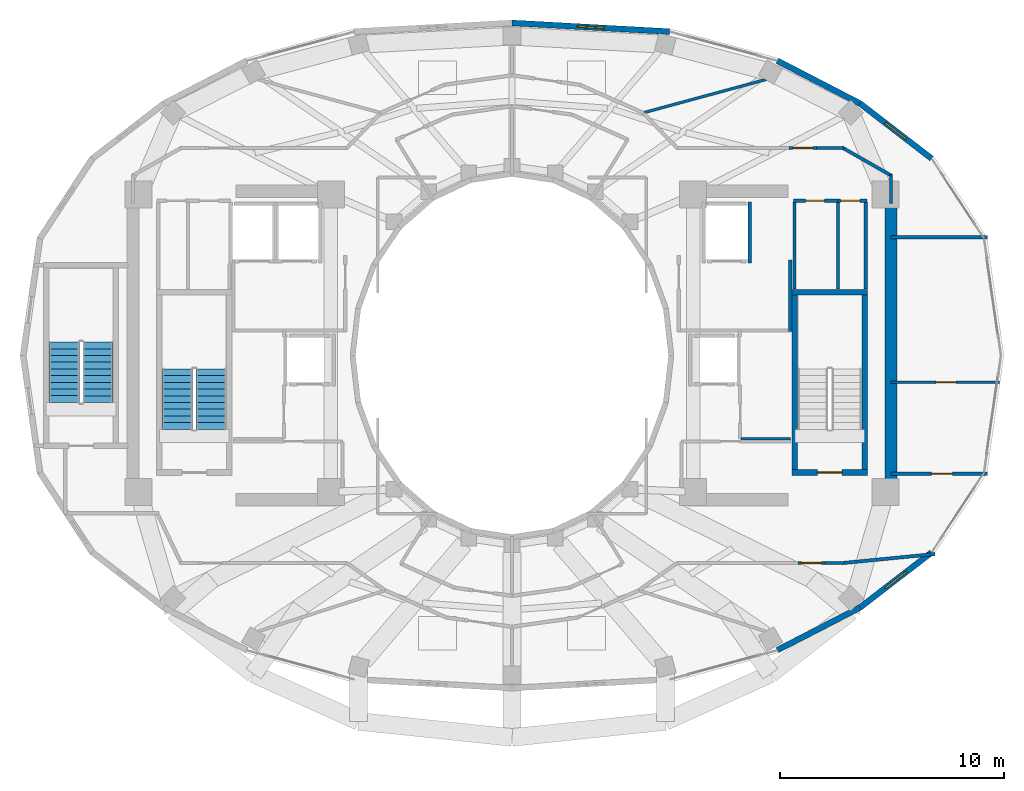
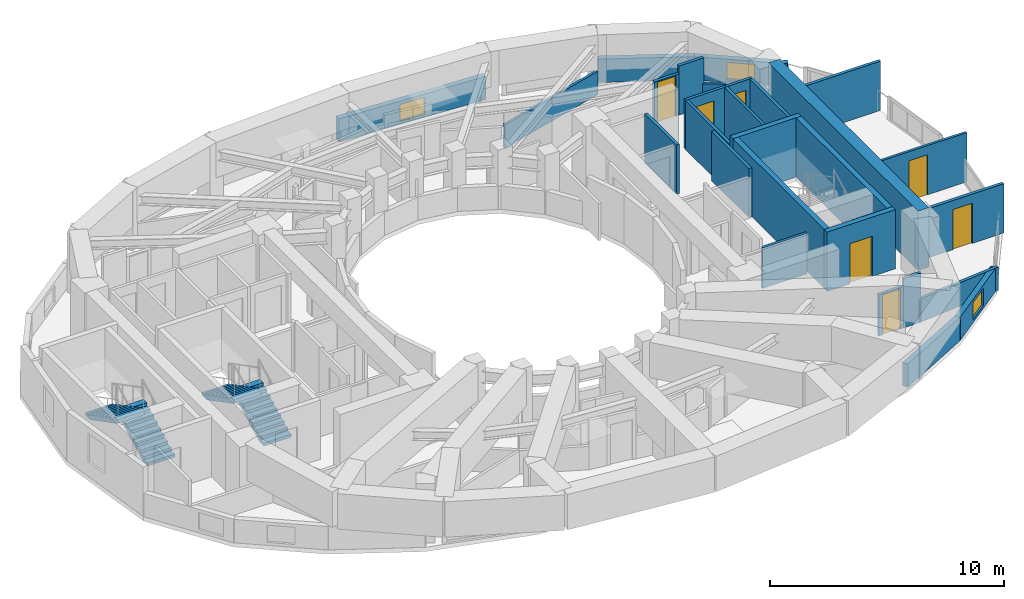
# One storey, part 15 of 19: 29 walls, 7 doors, 4 stair flights, 3 windows, 10 openings, 2 elements without a shape of their own.
"""IFC4 building model written with IfcOpenShell, lengths in metres."""

from ifc_helpers import new_model, si_unit, direction, frame, frame_2d, origin, place, context, subcontext, project, spatial, polyline, rectangle, outline, extrude, material, layer, layer_set, type_object, element, fill, aggregate, save


model = new_model("IFC4")

# Units and contexts
model_context = context("Model", 3, precision=1e-05, world=origin(), true_north=direction((0.0, 1.0)))
body_context = subcontext(model_context, "Body", "Model", "MODEL_VIEW")
ifc_project = project(units=[si_unit("LENGTHUNIT", "METRE"), si_unit("AREAUNIT", "SQUARE_METRE"), si_unit("VOLUMEUNIT", "CUBIC_METRE"), si_unit("PLANEANGLEUNIT", "RADIAN"), si_unit("MASSUNIT", "GRAM", prefix="KILO")], contexts=[model_context])

# Site, building, storey
site_placement = place(None, origin())
site = spatial("IfcSite", under=ifc_project, at=site_placement, CompositionType="ELEMENT")
building_placement = place(site_placement, origin())
building = spatial("IfcBuilding", under=site, at=building_placement, Name="Solvane Sanctuary Tower", CompositionType="ELEMENT")
storey_placement = place(building_placement, frame((0.0, 0.0, 207.800048828125)))
storey = spatial("IfcBuildingStorey", under=building, at=storey_placement, Name="L63", CompositionType="ELEMENT", Elevation=207.800048828125)

# Walls
ifc_material_1 = material(Name="Concrete C50/60", Category="concrete")
ifc_layer_1 = layer(ifc_material_1, 0.550048828125, Name="Concrete C50/60")
ifc_layer_set_1 = layer_set([ifc_layer_1], Name="Concrete C50/60")
wall_type_1 = type_object("IfcWallType", Name="Wall W-CORE-550", PredefinedType="SHEAR", material=ifc_layer_set_1)
wall_1_placement = place(storey_placement, frame((48.949951171875, 17.050048828125, 0.0), z_axis=(0.0, 0.0, 1.0), x_axis=(0.0, 1.0, 0.0)))
element("IfcWall", 1, at=wall_1_placement, inside=storey, type_object=wall_type_1, Name="L63 Core Shear Wall EC-E", PredefinedType="SHEAR", context=body_context, shape_type="SweptSolid", body=[
    extrude(rectangle(XDim=12.800048828125, YDim=0.550048828125, at=frame_2d((6.39990234375, 0.0))), origin(), (0.0, 0.0, 1.0), 3.099853515625),
])
ifc_material_2 = material(Name="Acoustic Gypsum Partition Board")
ifc_layer_2 = layer(ifc_material_2, 0.14990234375, Name="Acoustic Gypsum Partition Board")
ifc_layer_set_2 = layer_set([ifc_layer_2], Name="Acoustic Gypsum Partition Board")
wall_type_2 = type_object("IfcWallType", Name="Wall W-CORR-150", PredefinedType="PARTITIONING", material=ifc_layer_set_2)
wall_2_placement = place(storey_placement, frame((44.449951171875, 24.080078125, 0.0), z_axis=(0.0, 0.0, 1.0), x_axis=(0.0, 1.0, 0.0)))
element("IfcWall", 2, at=wall_2_placement, inside=storey, type_object=wall_type_2, Name="L63 East Firefighting Lobby East Wall", PredefinedType="PARTITIONING", context=body_context, shape_type="SweptSolid", body=[
    extrude(rectangle(XDim=3.199951171875, YDim=0.14990234375, at=frame_2d((1.60009765625, 0.0))), origin(), (0.0, 0.0, 1.0), 2.574951171875),
])

# Wall, opening, door
wall_3_placement = place(storey_placement, frame((48.949951171875, 17.718505859375, 0.0), z_axis=(0.0, 0.0, 1.0), x_axis=(1.0, 0.0, 0.0)))
wall_3 = element("IfcWall", 3, at=wall_3_placement, inside=storey, type_object=wall_type_2, Name="L63 East Shoulder South Wall", PredefinedType="PARTITIONING", context=body_context, shape_type="SweptSolid", body=[
    extrude(rectangle(XDim=4.3203125, YDim=0.14990234375, at=frame_2d((2.16015625, 0.0))), origin(), (0.0, 0.0, 1.0), 2.574951171875),
])
opening_1_placement = place(wall_3_placement, frame((1.801025390625, 0.0, 0.0)))
opening_1 = element("IfcOpeningElement", 4, at=opening_1_placement, cuts=wall_3, Name="Opening D-L63-18", PredefinedType="OPENING", context=body_context, shape_type="SweptSolid", body=[
    extrude(rectangle(XDim=0.949951171875, YDim=2.10009765625, at=frame_2d((0.47509765625, 1.050048828125))), frame((0.0, 0.0849609375, 0.0), z_axis=(0.0, -1.0, 0.0), x_axis=(1.0, 0.0, 0.0)), (0.0, 0.0, 1.0), 0.169921875),
])
ifc_material_3 = material(Name="Engineered Tropical Hardwood", Category="wood")
door_type_1 = type_object("IfcDoorType", Name="Door D-ROOM-950", OperationType="NOTDEFINED", PredefinedType="DOOR", material=ifc_material_3)
door_1_placement = place(opening_1_placement, origin())
door_1 = element("IfcDoor", 5, at=door_1_placement, inside=storey, type_object=door_type_1, Name="L63 East Shoulder South Door", OperationType="SINGLE_SWING_RIGHT", OverallHeight=2.10009765625, OverallWidth=0.949951171875, PredefinedType="DOOR", context=body_context, shape_type="SweptSolid", body=[
    extrude(rectangle(XDim=0.949951171875, YDim=2.10009765625, at=frame_2d((0.47509765625, 1.050048828125))), frame((0.0, 0.02490234375, 0.0), z_axis=(0.0, -1.0, 0.0), x_axis=(1.0, 0.0, 0.0)), (0.0, 0.0, 1.0), 0.050048828125),
])
fill(opening_1, door_1)

# Walls
wall_4_placement = place(storey_placement, frame((48.949951171875, 28.281494140625, 0.0), z_axis=(0.0, 0.0, 1.0), x_axis=(1.0, 0.0, 0.0)))
element("IfcWall", 6, at=wall_4_placement, inside=storey, type_object=wall_type_2, Name="L63 East Shoulder North Wall", PredefinedType="PARTITIONING", context=body_context, shape_type="SweptSolid", body=[
    extrude(rectangle(XDim=4.3203125, YDim=0.14990234375, at=frame_2d((2.16015625, 0.0))), origin(), (0.0, 0.0, 1.0), 2.574951171875),
])
wall_5_placement = place(storey_placement, frame((48.949951171875, 29.800048828125, 0.0), z_axis=(0.0, 0.0, 1.0), x_axis=(0.0, 1.0, 0.0)))
element("IfcWall", 7, at=wall_5_placement, inside=storey, type_object=wall_type_2, Name="L63 NE Corner Closer 1", PredefinedType="PARTITIONING", context=body_context, shape_type="SweptSolid", body=[
    extrude(rectangle(XDim=1.2900390625, YDim=0.14990234375, at=frame_2d((0.64501953125, 0.0))), origin(), (0.0, 0.0, 1.0), 1.219970703125),
])

# Wall, opening, door
wall_6_placement = place(storey_placement, frame((44.389892578125, 32.280029296875, 0.0), z_axis=(0.0, 0.0, 1.0), x_axis=(1.0, 0.0, 0.0)))
wall_6 = element("IfcWall", 8, at=wall_6_placement, inside=storey, type_object=wall_type_2, Name="L63 NE Corner Corridor Wall", PredefinedType="PARTITIONING", context=body_context, shape_type="SweptSolid", body=[
    extrude(rectangle(XDim=1.22021484375, YDim=0.14990234375, at=frame_2d((0.610107421875, 0.0))), origin(), (0.0, 0.0, 1.0), 2.159912109375),
])
opening_2_placement = place(wall_6_placement, frame((0.159912109375, 0.0, 0.0)))
opening_2 = element("IfcOpeningElement", 9, at=opening_2_placement, cuts=wall_6, Name="Opening D-L63-20", PredefinedType="OPENING", context=body_context, shape_type="SweptSolid", body=[
    extrude(rectangle(XDim=0.89990234375, YDim=2.10009765625, at=frame_2d((0.449951171875, 1.050048828125))), frame((0.0, 0.0849609375, 0.0), z_axis=(0.0, -1.0, 0.0), x_axis=(1.0, 0.0, 0.0)), (0.0, 0.0, 1.0), 0.169921875),
])
door_type_2 = type_object("IfcDoorType", Name="Door D-WET-900", OperationType="NOTDEFINED", PredefinedType="DOOR", material=ifc_material_3)
door_2_placement = place(opening_2_placement, origin())
door_2 = element("IfcDoor", 10, at=door_2_placement, inside=storey, type_object=door_type_2, Name="L63 NE Corner Salon Door", OperationType="SINGLE_SWING_RIGHT", OverallHeight=2.10009765625, OverallWidth=0.89990234375, PredefinedType="DOOR", context=body_context, shape_type="SweptSolid", body=[
    extrude(rectangle(XDim=0.89990234375, YDim=2.10009765625, at=frame_2d((0.449951171875, 1.050048828125))), frame((0.0, 0.02490234375, 0.0), z_axis=(0.0, -1.0, 0.0), x_axis=(1.0, 0.0, 0.0)), (0.0, 0.0, 1.0), 0.050048828125),
])
fill(opening_2, door_2)

# Walls
wall_7_placement = place(storey_placement, frame((45.610107421875, 32.280029296875, 0.0), z_axis=(0.0, 0.0, 1.0), x_axis=(1.0, 0.0, 0.0)))
element("IfcWall", 11, at=wall_7_placement, inside=storey, type_object=wall_type_2, Name="L63 NE Corner Corridor Wall", PredefinedType="PARTITIONING", context=body_context, shape_type="SweptSolid", body=[
    extrude(rectangle(XDim=1.239990234375, YDim=0.14990234375, at=frame_2d((0.6201171875, 0.0))), origin(), (0.0, 0.0, 1.0), 2.574951171875),
])
wall_8_placement = place(storey_placement, frame((46.756591796875, 32.3046875, 0.0), z_axis=(0.0, 0.0, 1.0), x_axis=(0.867991349648, -0.496579315857, 0.0)))
element("IfcWall", 12, at=wall_8_placement, inside=storey, type_object=wall_type_2, Name="L63 NE Corner Wing Wall", PredefinedType="PARTITIONING", context=body_context, shape_type="SweptSolid", body=[
    extrude(rectangle(XDim=2.56689453125, YDim=0.14990234375, at=frame_2d((1.283447265625, 0.0))), origin(), (0.0, 0.0, 1.0), 1.219970703125),
])

# Wall, opening, door
wall_9_placement = place(storey_placement, frame((44.783935546875, 13.719970703125, 0.0), z_axis=(0.0, 0.0, 1.0), x_axis=(1.0, 0.0, 0.0)))
wall_9 = element("IfcWall", 13, at=wall_9_placement, inside=storey, type_object=wall_type_2, Name="L63 SE Corner Corridor Wall", PredefinedType="PARTITIONING", context=body_context, shape_type="SweptSolid", body=[
    extrude(rectangle(XDim=1.219970703125, YDim=0.14990234375, at=frame_2d((0.60986328125, 0.0))), origin(), (0.0, 0.0, 1.0), 2.159912109375),
])
opening_3_placement = place(wall_9_placement, frame((0.159912109375, 0.0, 0.0)))
opening_3 = element("IfcOpeningElement", 14, at=opening_3_placement, cuts=wall_9, Name="Opening D-L63-23", PredefinedType="OPENING", context=body_context, shape_type="SweptSolid", body=[
    extrude(rectangle(XDim=0.89990234375, YDim=2.10009765625, at=frame_2d((0.449951171875, 1.050048828125))), frame((0.0, 0.0849609375, 0.0), z_axis=(0.0, -1.0, 0.0), x_axis=(1.0, 0.0, 0.0)), (0.0, 0.0, 1.0), 0.169921875),
])
door_3_placement = place(opening_3_placement, origin())
door_3 = element("IfcDoor", 15, at=door_3_placement, inside=storey, type_object=door_type_2, Name="L63 SE Corner Salon Door", OperationType="SINGLE_SWING_LEFT", OverallHeight=2.10009765625, OverallWidth=0.89990234375, PredefinedType="DOOR", context=body_context, shape_type="SweptSolid", body=[
    extrude(rectangle(XDim=0.89990234375, YDim=2.10009765625, at=frame_2d((0.449951171875, 1.050048828125))), frame((0.0, 0.02490234375, 0.0), z_axis=(0.0, -1.0, 0.0), x_axis=(1.0, 0.0, 0.0)), (0.0, 0.0, 1.0), 0.050048828125),
])
fill(opening_3, door_3)

# Walls
wall_10_placement = place(storey_placement, frame((46.00390625, 13.719970703125, 0.0), z_axis=(0.0, 0.0, 1.0), x_axis=(1.0, 0.0, 0.0)))
element("IfcWall", 16, at=wall_10_placement, inside=storey, type_object=wall_type_2, Name="L63 SE Corner Corridor Wall", PredefinedType="PARTITIONING", context=body_context, shape_type="SweptSolid", body=[
    extrude(rectangle(XDim=0.84619140625, YDim=0.14990234375, at=frame_2d((0.423095703125, 0.0))), origin(), (0.0, 0.0, 1.0), 2.574951171875),
])
wall_11_placement = place(storey_placement, frame((46.750244140625, 13.715087890625, 0.0), z_axis=(0.0, 0.0, 1.0), x_axis=(0.995223854991, 0.097619047609, 0.0)))
element("IfcWall", 17, at=wall_11_placement, inside=storey, type_object=wall_type_2, Name="L63 SE Corner Wing Wall", PredefinedType="PARTITIONING", context=body_context, shape_type="SweptSolid", body=[
    extrude(rectangle(XDim=4.181640625, YDim=0.14990234375, at=frame_2d((2.0908203125, 0.0))), origin(), (0.0, 0.0, 1.0), 1.219970703125),
])

# Wall, opening, window
ifc_material_4 = material(Name="Precast concrete C40/50", Category="concrete")
ifc_layer_3 = layer(ifc_material_4, 0.260009765625, Name="Precast concrete C40/50")
ifc_layer_set_3 = layer_set([ifc_layer_3], Name="Precast concrete C40/50")
wall_type_3 = type_object("IfcWallType", Name="Wall W-EXT-250", PredefinedType="STANDARD", material=ifc_layer_set_3)
wall_12_placement = place(storey_placement, frame((50.760986328125, 31.80908203125, 0.0), z_axis=(0.0, 0.0, 1.0), x_axis=(-0.792713817907, 0.609593965603, 0.0)))
wall_12 = element("IfcWall", 18, at=wall_12_placement, inside=storey, type_object=wall_type_3, Name="L63 Ceramic-Printed Facade Wall 02", PredefinedType="STANDARD", context=body_context, shape_type="SweptSolid", body=[
    extrude(rectangle(XDim=4.041015625, YDim=0.260009765625, at=frame_2d((2.0205078125, 0.0))), origin(), (0.0, 0.0, 1.0), 1.219970703125),
])
opening_4_placement = place(wall_12_placement, frame((1.42041015625, 0.0, 0.14990234375)))
opening_4 = element("IfcOpeningElement", 19, at=opening_4_placement, cuts=wall_12, Name="Opening WN-OPER-1200", PredefinedType="OPENING", context=body_context, shape_type="SweptSolid", body=[
    extrude(rectangle(XDim=1.199951171875, YDim=0.89990234375, at=frame_2d((0.60009765625, 0.449951171875))), frame((0.0, 0.139892578125, 0.0), z_axis=(0.0, -1.0, 0.0), x_axis=(1.0, 0.0, 0.0)), (0.0, 0.0, 1.0), 0.280029296875),
])
ifc_material_5 = material(Name="Dark Ceramic-Fritted Low-E Glass", Category="glass")
window_type = type_object("IfcWindowType", Name="Window WN-OPER-1200", PartitioningType="SINGLE_PANEL", PredefinedType="WINDOW", material=ifc_material_5)
window_1_placement = place(opening_4_placement, origin())
window_1 = element("IfcWindow", 20, at=window_1_placement, inside=storey, type_object=window_type, Name="L63 Operable Facade Window 02", OverallHeight=0.89990234375, OverallWidth=1.199951171875, PartitioningType="SINGLE_PANEL", PredefinedType="WINDOW", context=body_context, shape_type="SweptSolid", body=[
    extrude(rectangle(XDim=1.199951171875, YDim=0.89990234375, at=frame_2d((0.60009765625, 0.449951171875))), frame((0.0, 0.030029296875, 0.0), z_axis=(0.0, -1.0, 0.0), x_axis=(1.0, 0.0, 0.0)), (0.0, 0.0, 1.0), 0.06005859375),
])
fill(opening_4, window_1)

# Wall
wall_13_placement = place(storey_placement, frame((47.5576171875, 34.2724609375, 0.0), z_axis=(0.0, 0.0, 1.0), x_axis=(-0.88849146803, 0.458893137057, 0.0)))
element("IfcWall", 21, at=wall_13_placement, inside=storey, type_object=wall_type_3, Name="L63 Ceramic-Printed Facade Wall 03", PredefinedType="STANDARD", context=body_context, shape_type="SweptSolid", body=[
    extrude(rectangle(XDim=4.150390625, YDim=0.260009765625, at=frame_2d((2.0751953125, 0.0))), origin(), (0.0, 0.0, 1.0), 1.219970703125),
])

# Wall, opening, window
wall_14_placement = place(storey_placement, frame((39.04296875, 37.484619140625, 0.0), z_axis=(0.0, 0.0, 1.0), x_axis=(-0.998490239527, 0.054929423535, 0.0)))
wall_14 = element("IfcWall", 22, at=wall_14_placement, inside=storey, type_object=wall_type_3, Name="L63 Ceramic-Printed Facade Wall 05", PredefinedType="STANDARD", context=body_context, shape_type="SweptSolid", body=[
    extrude(rectangle(XDim=7.0537109375, YDim=0.260009765625, at=frame_2d((3.52685546875, 0.0))), origin(), (0.0, 0.0, 1.0), 1.219970703125),
])
opening_5_placement = place(wall_14_placement, frame((2.9267578125, 0.0, 0.14990234375)))
opening_5 = element("IfcOpeningElement", 23, at=opening_5_placement, cuts=wall_14, Name="Opening WN-OPER-1200", PredefinedType="OPENING", context=body_context, shape_type="SweptSolid", body=[
    extrude(rectangle(XDim=1.199951171875, YDim=0.89990234375, at=frame_2d((0.60009765625, 0.449951171875))), frame((0.0, 0.139892578125, 0.0), z_axis=(0.0, -1.0, 0.0), x_axis=(1.0, 0.0, 0.0)), (0.0, 0.0, 1.0), 0.280029296875),
])
window_2_placement = place(opening_5_placement, origin())
window_2 = element("IfcWindow", 24, at=window_2_placement, inside=storey, type_object=window_type, Name="L63 Operable Facade Window 05", OverallHeight=0.89990234375, OverallWidth=1.199951171875, PartitioningType="SINGLE_PANEL", PredefinedType="WINDOW", context=body_context, shape_type="SweptSolid", body=[
    extrude(rectangle(XDim=1.199951171875, YDim=0.89990234375, at=frame_2d((0.60009765625, 0.449951171875))), frame((0.0, 0.030029296875, 0.0), z_axis=(0.0, -1.0, 0.0), x_axis=(1.0, 0.0, 0.0)), (0.0, 0.0, 1.0), 0.06005859375),
])
fill(opening_5, window_2)

# Wall
wall_15_placement = place(storey_placement, frame((43.8701171875, 9.822998046875, 0.0), z_axis=(0.0, 0.0, 1.0), x_axis=(0.88849146803, 0.458893137057, 0.0)))
element("IfcWall", 25, at=wall_15_placement, inside=storey, type_object=wall_type_3, Name="L63 Ceramic-Printed Facade Wall 20", PredefinedType="STANDARD", context=body_context, shape_type="SweptSolid", body=[
    extrude(rectangle(XDim=4.150390625, YDim=0.260009765625, at=frame_2d((2.0751953125, 0.0))), origin(), (0.0, 0.0, 1.0), 1.219970703125),
])

# Wall, opening, window
wall_16_placement = place(storey_placement, frame((47.5576171875, 11.7275390625, 0.0), z_axis=(0.0, 0.0, 1.0), x_axis=(0.792713817907, 0.609593965603, 0.0)))
wall_16 = element("IfcWall", 26, at=wall_16_placement, inside=storey, type_object=wall_type_3, Name="L63 Ceramic-Printed Facade Wall 21", PredefinedType="STANDARD", context=body_context, shape_type="SweptSolid", body=[
    extrude(rectangle(XDim=4.041015625, YDim=0.260009765625, at=frame_2d((2.0205078125, 0.0))), origin(), (0.0, 0.0, 1.0), 1.219970703125),
])
opening_6_placement = place(wall_16_placement, frame((1.42041015625, 0.0, 0.14990234375)))
opening_6 = element("IfcOpeningElement", 27, at=opening_6_placement, cuts=wall_16, Name="Opening WN-OPER-1200", PredefinedType="OPENING", context=body_context, shape_type="SweptSolid", body=[
    extrude(rectangle(XDim=1.199951171875, YDim=0.89990234375, at=frame_2d((0.60009765625, 0.449951171875))), frame((0.0, 0.139892578125, 0.0), z_axis=(0.0, -1.0, 0.0), x_axis=(1.0, 0.0, 0.0)), (0.0, 0.0, 1.0), 0.280029296875),
])
window_3_placement = place(opening_6_placement, origin())
window_3 = element("IfcWindow", 28, at=window_3_placement, inside=storey, type_object=window_type, Name="L63 Operable Facade Window 21", OverallHeight=0.89990234375, OverallWidth=1.199951171875, PartitioningType="SINGLE_PANEL", PredefinedType="WINDOW", context=body_context, shape_type="SweptSolid", body=[
    extrude(rectangle(XDim=1.199951171875, YDim=0.89990234375, at=frame_2d((0.60009765625, 0.449951171875))), frame((0.0, 0.030029296875, 0.0), z_axis=(0.0, -1.0, 0.0), x_axis=(1.0, 0.0, 0.0)), (0.0, 0.0, 1.0), 0.06005859375),
])
fill(opening_6, window_3)

# Wall, opening, door
ifc_layer_4 = layer(ifc_material_2, 0.1201171875, Name="Acoustic Gypsum Partition Board")
ifc_layer_set_4 = layer_set([ifc_layer_4], Name="Acoustic Gypsum Partition Board")
wall_type_4 = type_object("IfcWallType", Name="Wall W-MOV-100", PredefinedType="MOVABLE", material=ifc_layer_set_4)
wall_17_placement = place(storey_placement, frame((48.949951171875, 21.800048828125, 0.0), z_axis=(0.0, 0.0, 1.0), x_axis=(1.0, 0.0, 0.0)))
wall_17 = element("IfcWall", 29, at=wall_17_placement, inside=storey, type_object=wall_type_4, Name="L63 East Suite Partition", PredefinedType="MOVABLE", context=body_context, shape_type="SweptSolid", body=[
    extrude(rectangle(XDim=4.847412109375, YDim=0.1201171875, at=frame_2d((2.423828125, 0.0))), origin(), (0.0, 0.0, 1.0), 2.574951171875),
])
opening_7_placement = place(wall_17_placement, frame((2.0, 0.0, 0.0)))
opening_7 = element("IfcOpeningElement", 30, at=opening_7_placement, cuts=wall_17, Name="Opening D-L63-19", PredefinedType="OPENING", context=body_context, shape_type="SweptSolid", body=[
    extrude(rectangle(XDim=0.89990234375, YDim=2.10009765625, at=frame_2d((0.449951171875, 1.050048828125))), frame((0.0, 0.070068359375, 0.0), z_axis=(0.0, -1.0, 0.0), x_axis=(1.0, 0.0, 0.0)), (0.0, 0.0, 1.0), 0.14013671875),
])
door_4_placement = place(opening_7_placement, origin())
door_4 = element("IfcDoor", 31, at=door_4_placement, inside=storey, type_object=door_type_2, Name="L63 East Suite Internal Door", OperationType="SINGLE_SWING_LEFT", OverallHeight=2.10009765625, OverallWidth=0.89990234375, PredefinedType="DOOR", context=body_context, shape_type="SweptSolid", body=[
    extrude(rectangle(XDim=0.89990234375, YDim=2.10009765625, at=frame_2d((0.449951171875, 1.050048828125))), frame((0.0, 0.02490234375, 0.0), z_axis=(0.0, -1.0, 0.0), x_axis=(1.0, 0.0, 0.0)), (0.0, 0.0, 1.0), 0.050048828125),
])
fill(opening_7, door_4)

# Walls
ifc_layer_5 = layer(ifc_material_2, 0.125, Name="Acoustic Gypsum Partition Board")
ifc_layer_set_5 = layer_set([ifc_layer_5], Name="Acoustic Gypsum Partition Board")
wall_type_5 = type_object("IfcWallType", Name="Wall W-PART-125", PredefinedType="PARTITIONING", material=ifc_layer_set_5)
wall_18_placement = place(storey_placement, frame((42.239990234375, 19.280029296875, 0.0), z_axis=(0.0, 0.0, 1.0), x_axis=(1.0, 0.0, 0.0)))
element("IfcWall", 32, at=wall_18_placement, inside=storey, type_object=wall_type_5, Name="L63 Reclaimed Room Closer Wall PME-1", PredefinedType="PARTITIONING", context=body_context, shape_type="SweptSolid", body=[
    extrude(rectangle(XDim=2.2099609375, YDim=0.125, at=frame_2d((1.10498046875, 0.0))), origin(), (0.0, 0.0, 1.0), 2.119873046875),
])
wall_19_placement = place(storey_placement, frame((37.918212890625, 33.86572265625, 0.0), z_axis=(0.0, 0.0, 1.0), x_axis=(0.965109390289, 0.261847025523, 0.0)))
element("IfcWall", 33, at=wall_19_placement, inside=storey, type_object=wall_type_5, Name="L63 Radial Compartment Wall 060", PredefinedType="PARTITIONING", context=body_context, shape_type="SweptSolid", body=[
    extrude(rectangle(XDim=5.643798828125, YDim=0.125, at=frame_2d((2.82177734375, 0.0))), origin(), (0.0, 0.0, 1.0), 1.219970703125),
])
ifc_layer_6 = layer(ifc_material_1, 0.14990234375, Name="Concrete C50/60")
ifc_layer_set_6 = layer_set([ifc_layer_6], Name="Concrete C50/60")
wall_type_6 = type_object("IfcWallType", Name="Wall W-SHAFT-150", PredefinedType="SOLIDWALL", material=ifc_layer_set_6)
wall_20_placement = place(storey_placement, frame((42.6298828125, 27.139892578125, 0.0), z_axis=(0.0, 0.0, 1.0), x_axis=(0.0, 1.0, 0.0)))
element("IfcWall", 34, at=wall_20_placement, inside=storey, type_object=wall_type_6, Name="L63 FFL-2 Lift Shaft Wall S2", PredefinedType="SOLIDWALL", context=body_context, shape_type="SweptSolid", body=[
    extrude(rectangle(XDim=2.72021484375, YDim=0.14990234375, at=frame_2d((1.360107421875, 0.0))), origin(), (0.0, 0.0, 1.0), 2.574951171875),
])

# Wall, opening, door
ifc_layer_7 = layer(ifc_material_1, 0.25, Name="Concrete C50/60")
ifc_layer_set_7 = layer_set([ifc_layer_7], Name="Concrete C50/60")
wall_type_7 = type_object("IfcWallType", Name="Wall W-SHAFT-250", PredefinedType="SOLIDWALL", material=ifc_layer_set_7)
wall_21_placement = place(storey_placement, frame((44.52490234375, 17.77001953125, 0.0), z_axis=(0.0, 0.0, 1.0), x_axis=(1.0, 0.0, 0.0)))
wall_21 = element("IfcWall", 35, at=wall_21_placement, inside=storey, type_object=wall_type_7, Name="L63 ST-2 Load-Bearing Shaft Wall S", PredefinedType="SOLIDWALL", context=body_context, shape_type="SweptSolid", body=[
    extrude(rectangle(XDim=3.3701171875, YDim=0.25, at=frame_2d((1.68505859375, 0.0))), origin(), (0.0, 0.0, 1.0), 3.099853515625),
])
opening_8_placement = place(wall_21_placement, frame((1.135009765625, 0.0, 0.0)))
opening_8 = element("IfcOpeningElement", 36, at=opening_8_placement, cuts=wall_21, Name="Opening D-L63-02", PredefinedType="OPENING", context=body_context, shape_type="SweptSolid", body=[
    extrude(rectangle(XDim=1.10009765625, YDim=2.10009765625, at=frame_2d((0.550048828125, 1.050048828125))), frame((0.0, 0.135009765625, 0.0), z_axis=(0.0, -1.0, 0.0), x_axis=(1.0, 0.0, 0.0)), (0.0, 0.0, 1.0), 0.27001953125),
])
ifc_material_6 = material(Name="Architectural Stainless Steel 316", Category="steel")
door_type_3 = type_object("IfcDoorType", Name="Door D-STAIR", OperationType="NOTDEFINED", PredefinedType="DOOR", material=ifc_material_6)
door_5_placement = place(opening_8_placement, origin())
door_5 = element("IfcDoor", 37, at=door_5_placement, inside=storey, type_object=door_type_3, Name="L63 ST-2 Exit Stair Fire Door", OperationType="SINGLE_SWING_RIGHT", OverallHeight=2.10009765625, OverallWidth=1.10009765625, PredefinedType="DOOR", context=body_context, shape_type="SweptSolid", body=[
    extrude(rectangle(XDim=1.10009765625, YDim=2.10009765625, at=frame_2d((0.550048828125, 1.050048828125))), frame((0.0, 0.02490234375, 0.0), z_axis=(0.0, -1.0, 0.0), x_axis=(1.0, 0.0, 0.0)), (0.0, 0.0, 1.0), 0.050048828125),
])
fill(opening_8, door_5)

# Walls
wall_22_placement = place(storey_placement, frame((44.52490234375, 25.830078125, 0.0), z_axis=(0.0, 0.0, 1.0), x_axis=(1.0, 0.0, 0.0)))
element("IfcWall", 38, at=wall_22_placement, inside=storey, type_object=wall_type_7, Name="L63 ST-2 Load-Bearing Shaft Wall N", PredefinedType="SOLIDWALL", context=body_context, shape_type="SweptSolid", body=[
    extrude(rectangle(XDim=3.3701171875, YDim=0.25, at=frame_2d((1.68505859375, 0.0))), origin(), (0.0, 0.0, 1.0), 3.099853515625),
])
for number, where, z_axis, x_axis, name in (
    (39, (44.64990234375, 17.89501953125, 0.0), (0.0, 0.0, 1.0), (0.0, 1.0, 0.0), "L63 ST-2 Load-Bearing Shaft Wall W"),
    (40, (47.77001953125, 17.89501953125, 0.0), (0.0, 0.0, 1.0), (0.0, 1.0, 0.0), "L63 ST-2 Load-Bearing Shaft Wall E"),
):
    element("IfcWall", number, at=place(storey_placement, frame(where, z_axis=z_axis, x_axis=x_axis)), inside=storey, type_object=wall_type_7, Name=name, PredefinedType="SOLIDWALL", context=body_context, shape_type="SweptSolid", body=[
        extrude(rectangle(XDim=7.81005859375, YDim=0.25, at=frame_2d((3.905029296875, 0.0))), origin(), (0.0, 0.0, 1.0), 3.099853515625),
    ])

# Wall, opening, door
ifc_layer_8 = layer(ifc_material_2, 0.139892578125, Name="Acoustic Gypsum Partition Board")
ifc_layer_set_8 = layer_set([ifc_layer_8], Name="Acoustic Gypsum Partition Board")
wall_type_8 = type_object("IfcWallType", Name="Wall W-WET-140", PredefinedType="PLUMBINGWALL", material=ifc_layer_set_8)
wall_23_placement = place(storey_placement, frame((44.580078125, 29.919921875, 0.0), z_axis=(0.0, 0.0, 1.0), x_axis=(1.0, 0.0, 0.0)))
wall_23 = element("IfcWall", 41, at=wall_23_placement, inside=storey, type_object=wall_type_8, Name="L63 Core Service Front Wall KE1", PredefinedType="PLUMBINGWALL", context=body_context, shape_type="SweptSolid", body=[
    extrude(rectangle(XDim=2.0, YDim=0.139892578125, at=frame_2d((1.0, 0.0))), origin(), (0.0, 0.0, 1.0), 2.574951171875),
])
opening_9_placement = place(wall_23_placement, frame((0.550048828125, 0.0, 0.0)))
opening_9 = element("IfcOpeningElement", 42, at=opening_9_placement, cuts=wall_23, Name="Opening D-L63-12", PredefinedType="OPENING", context=body_context, shape_type="SweptSolid", body=[
    extrude(rectangle(XDim=0.85009765625, YDim=2.050048828125, at=frame_2d((0.425048828125, 1.02490234375))), frame((0.0, 0.079833984375, 0.0), z_axis=(0.0, -1.0, 0.0), x_axis=(1.0, 0.0, 0.0)), (0.0, 0.0, 1.0), 0.159912109375),
])
door_type_4 = type_object("IfcDoorType", Name="Door D-RISER", OperationType="NOTDEFINED", PredefinedType="DOOR", material=ifc_material_6)
door_6_placement = place(opening_9_placement, origin())
door_6 = element("IfcDoor", 43, at=door_6_placement, inside=storey, type_object=door_type_4, Name="L63 Core Service Room Door KE1-1", OperationType="SINGLE_SWING_RIGHT", OverallHeight=2.050048828125, OverallWidth=0.85009765625, PredefinedType="DOOR", context=body_context, shape_type="SweptSolid", body=[
    extrude(rectangle(XDim=0.85009765625, YDim=2.050048828125, at=frame_2d((0.425048828125, 1.02490234375))), frame((0.0, 0.02490234375, 0.0), z_axis=(0.0, -1.0, 0.0), x_axis=(1.0, 0.0, 0.0)), (0.0, 0.0, 1.0), 0.050048828125),
])
fill(opening_9, door_6)

# Walls
for number, where, z_axis, x_axis, name in (
    (44, (44.639892578125, 25.97998046875, 0.0), (0.0, 0.0, 1.0), (0.0, 1.0, 0.0), "L63 Core Service Side Wall KE1-1"),
    (45, (46.580078125, 25.97998046875, 0.0), (0.0, 0.0, 1.0), (0.0, 1.0, 0.0), "L63 Core Service Side Wall KE1-2"),
):
    element("IfcWall", number, at=place(storey_placement, frame(where, z_axis=z_axis, x_axis=x_axis)), inside=storey, type_object=wall_type_8, Name=name, PredefinedType="PLUMBINGWALL", context=body_context, shape_type="SweptSolid", body=[
        extrude(rectangle(XDim=3.880126953125, YDim=0.139892578125, at=frame_2d((1.93994140625, 0.0))), origin(), (0.0, 0.0, 1.0), 2.574951171875),
    ])

# Wall, opening, door
wall_24_placement = place(storey_placement, frame((46.580078125, 29.919921875, 0.0), z_axis=(0.0, 0.0, 1.0), x_axis=(1.0, 0.0, 0.0)))
wall_24 = element("IfcWall", 46, at=wall_24_placement, inside=storey, type_object=wall_type_8, Name="L63 Core Service Front Wall KE2", PredefinedType="PLUMBINGWALL", context=body_context, shape_type="SweptSolid", body=[
    extrude(rectangle(XDim=1.2998046875, YDim=0.139892578125, at=frame_2d((0.64990234375, 0.0))), origin(), (0.0, 0.0, 1.0), 2.574951171875),
])
opening_10_placement = place(wall_24_placement, frame((0.1201171875, 0.0, 0.0)))
opening_10 = element("IfcOpeningElement", 47, at=opening_10_placement, cuts=wall_24, Name="Opening D-L63-13", PredefinedType="OPENING", context=body_context, shape_type="SweptSolid", body=[
    extrude(rectangle(XDim=0.85009765625, YDim=2.050048828125, at=frame_2d((0.425048828125, 1.02490234375))), frame((0.0, 0.079833984375, 0.0), z_axis=(0.0, -1.0, 0.0), x_axis=(1.0, 0.0, 0.0)), (0.0, 0.0, 1.0), 0.159912109375),
])
door_7_placement = place(opening_10_placement, origin())
door_7 = element("IfcDoor", 48, at=door_7_placement, inside=storey, type_object=door_type_4, Name="L63 Core Service Room Door KE2-1", OperationType="SINGLE_SWING_LEFT", OverallHeight=2.050048828125, OverallWidth=0.85009765625, PredefinedType="DOOR", context=body_context, shape_type="SweptSolid", body=[
    extrude(rectangle(XDim=0.85009765625, YDim=2.050048828125, at=frame_2d((0.425048828125, 1.02490234375))), frame((0.0, 0.02490234375, 0.0), z_axis=(0.0, -1.0, 0.0), x_axis=(1.0, 0.0, 0.0)), (0.0, 0.0, 1.0), 0.050048828125),
])
fill(opening_10, door_7)

# Wall
wall_25_placement = place(storey_placement, frame((47.820068359375, 25.97998046875, 0.0), z_axis=(0.0, 0.0, 1.0), x_axis=(0.0, 1.0, 0.0)))
element("IfcWall", 49, at=wall_25_placement, inside=storey, type_object=wall_type_8, Name="L63 Core Service Side Wall KE2-1", PredefinedType="PLUMBINGWALL", context=body_context, shape_type="SweptSolid", body=[
    extrude(rectangle(XDim=3.880126953125, YDim=0.139892578125, at=frame_2d((1.93994140625, 0.0))), origin(), (0.0, 0.0, 1.0), 2.574951171875),
])

# Stair, stair flights
ifc_material_7 = material(Name="Concrete C45/55", Category="concrete")
stair_type = type_object("IfcStairType", Name="Stair ST-TOW", PredefinedType="HALF_TURN_STAIR", material=ifc_material_7)
stair_1_placement = place(storey_placement, origin())
stair_1 = element("IfcStair", 50, at=stair_1_placement, inside=storey, type_object=stair_type, Name="L63 Exit Stair ST-1 West Core", PredefinedType="HALF_TURN_STAIR")
stair_flight_type = type_object("IfcStairFlightType", Name="StairFlight SF-TOW", PredefinedType="STRAIGHT", material=ifc_material_7)
stair_flight_1_placement = place(storey_placement, frame((18.544921875, 19.699951171875, 0.0), z_axis=(0.0, 0.0, 1.0), x_axis=(0.0, 1.0, 0.0)))
stair_flight_1 = element("IfcStairFlight", 51, at=stair_flight_1_placement, type_object=stair_flight_type, Name="ST-1 flight 1", NumberOfRisers=10, NumberOfTreads=9, PredefinedType="STRAIGHT", RiserHeight=0.155, TreadLength=0.3, context=body_context, shape_type="SweptSolid", body=[
    extrude(outline(polyline([(0.0, 0.0), (0.0, 0.155029296875), (0.300048828125, 0.155029296875), (0.300048828125, 0.31005859375), (0.60009765625, 0.31005859375), (0.60009765625, 0.465087890625), (0.89990234375, 0.465087890625), (0.89990234375, 0.6201171875), (1.199951171875, 0.6201171875), (1.199951171875, 0.77490234375), (1.5, 0.77490234375), (1.5, 0.929931640625), (1.800048828125, 0.929931640625), (1.800048828125, 1.0849609375), (2.10009765625, 1.0849609375), (2.10009765625, 1.239990234375), (2.39990234375, 1.239990234375), (2.39990234375, 1.39501953125), (2.699951171875, 1.39501953125), (2.699951171875, 1.550048828125), (2.699951171875, 1.1923828125), (0.39208984375, 0.0), (0.0, 0.0)])), frame((0.0, 0.675048828125, 0.0), z_axis=(0.0, -1.0, 0.0), x_axis=(1.0, 0.0, 0.0)), (0.0, 0.0, 1.0), 1.35009765625),
])
stair_flight_2_placement = place(storey_placement, frame((17.034912109375, 22.39990234375, 1.550048828125), z_axis=(0.0, 0.0, 1.0), x_axis=(0.0, -1.0, 0.0)))
stair_flight_2 = element("IfcStairFlight", 52, at=stair_flight_2_placement, type_object=stair_flight_type, Name="ST-1 flight 2", NumberOfRisers=10, NumberOfTreads=9, PredefinedType="STRAIGHT", RiserHeight=0.155, TreadLength=0.3, context=body_context, shape_type="SweptSolid", body=[
    extrude(outline(polyline([(0.0, 0.0), (0.0, 0.155029296875), (0.300048828125, 0.155029296875), (0.300048828125, 0.31005859375), (0.60009765625, 0.31005859375), (0.60009765625, 0.465087890625), (0.89990234375, 0.465087890625), (0.89990234375, 0.6201171875), (1.199951171875, 0.6201171875), (1.199951171875, 0.77490234375), (1.5, 0.77490234375), (1.5, 0.929931640625), (1.800048828125, 0.929931640625), (1.800048828125, 1.0849609375), (2.10009765625, 1.0849609375), (2.10009765625, 1.239990234375), (2.39990234375, 1.239990234375), (2.39990234375, 1.39501953125), (2.699951171875, 1.39501953125), (2.699951171875, 1.550048828125), (2.699951171875, 1.1923828125), (0.39208984375, 0.0), (0.0, 0.0)])), frame((0.0, 0.675048828125, 0.0), z_axis=(0.0, -1.0, 0.0), x_axis=(1.0, 0.0, 0.0)), (0.0, 0.0, 1.0), 1.35009765625),
])
aggregate(stair_1, [stair_flight_1, stair_flight_2])

stair_2_placement = place(storey_placement, origin())
stair_2 = element("IfcStair", 53, at=stair_2_placement, inside=storey, type_object=stair_type, Name="L63 Exit Stair ST-3 Pilgrim Tower Stair", PredefinedType="HALF_TURN_STAIR")
stair_flight_3_placement = place(storey_placement, frame((13.485107421875, 20.89990234375, 0.0), z_axis=(0.0, 0.0, 1.0), x_axis=(0.0, 1.0, 0.0)))
stair_flight_3 = element("IfcStairFlight", 54, at=stair_flight_3_placement, type_object=stair_flight_type, Name="ST-3 flight 1", NumberOfRisers=10, NumberOfTreads=9, PredefinedType="STRAIGHT", RiserHeight=0.155, TreadLength=0.3, context=body_context, shape_type="SweptSolid", body=[
    extrude(outline(polyline([(0.0, 0.0), (0.0, 0.155029296875), (0.300048828125, 0.155029296875), (0.300048828125, 0.31005859375), (0.60009765625, 0.31005859375), (0.60009765625, 0.465087890625), (0.89990234375, 0.465087890625), (0.89990234375, 0.6201171875), (1.199951171875, 0.6201171875), (1.199951171875, 0.77490234375), (1.5, 0.77490234375), (1.5, 0.929931640625), (1.800048828125, 0.929931640625), (1.800048828125, 1.0849609375), (2.10009765625, 1.0849609375), (2.10009765625, 1.239990234375), (2.39990234375, 1.239990234375), (2.39990234375, 1.39501953125), (2.699951171875, 1.39501953125), (2.699951171875, 1.550048828125), (2.699951171875, 1.1923828125), (0.39208984375, 0.0), (0.0, 0.0)])), frame((0.0, 0.675048828125, 0.0), z_axis=(0.0, -1.0, 0.0), x_axis=(1.0, 0.0, 0.0)), (0.0, 0.0, 1.0), 1.35009765625),
])
stair_flight_4_placement = place(storey_placement, frame((11.97509765625, 23.60009765625, 1.550048828125), z_axis=(0.0, 0.0, 1.0), x_axis=(0.0, -1.0, 0.0)))
stair_flight_4 = element("IfcStairFlight", 55, at=stair_flight_4_placement, type_object=stair_flight_type, Name="ST-3 flight 2", NumberOfRisers=10, NumberOfTreads=9, PredefinedType="STRAIGHT", RiserHeight=0.155, TreadLength=0.3, context=body_context, shape_type="SweptSolid", body=[
    extrude(outline(polyline([(0.0, 0.0), (0.0, 0.155029296875), (0.300048828125, 0.155029296875), (0.300048828125, 0.31005859375), (0.60009765625, 0.31005859375), (0.60009765625, 0.465087890625), (0.89990234375, 0.465087890625), (0.89990234375, 0.6201171875), (1.199951171875, 0.6201171875), (1.199951171875, 0.77490234375), (1.5, 0.77490234375), (1.5, 0.929931640625), (1.800048828125, 0.929931640625), (1.800048828125, 1.0849609375), (2.10009765625, 1.0849609375), (2.10009765625, 1.239990234375), (2.39990234375, 1.239990234375), (2.39990234375, 1.39501953125), (2.699951171875, 1.39501953125), (2.699951171875, 1.550048828125), (2.699951171875, 1.1923828125), (0.39208984375, 0.0), (0.0, 0.0)])), frame((0.0, 0.675048828125, 0.0), z_axis=(0.0, -1.0, 0.0), x_axis=(1.0, 0.0, 0.0)), (0.0, 0.0, 1.0), 1.35009765625),
])
aggregate(stair_2, [stair_flight_3, stair_flight_4])

save(model, "model.ifc")
